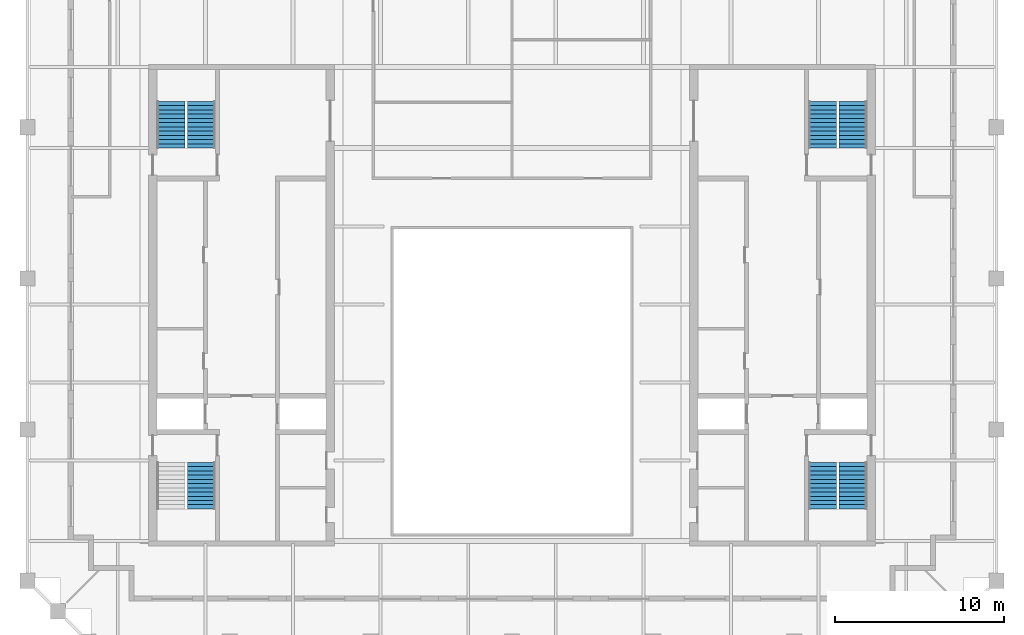
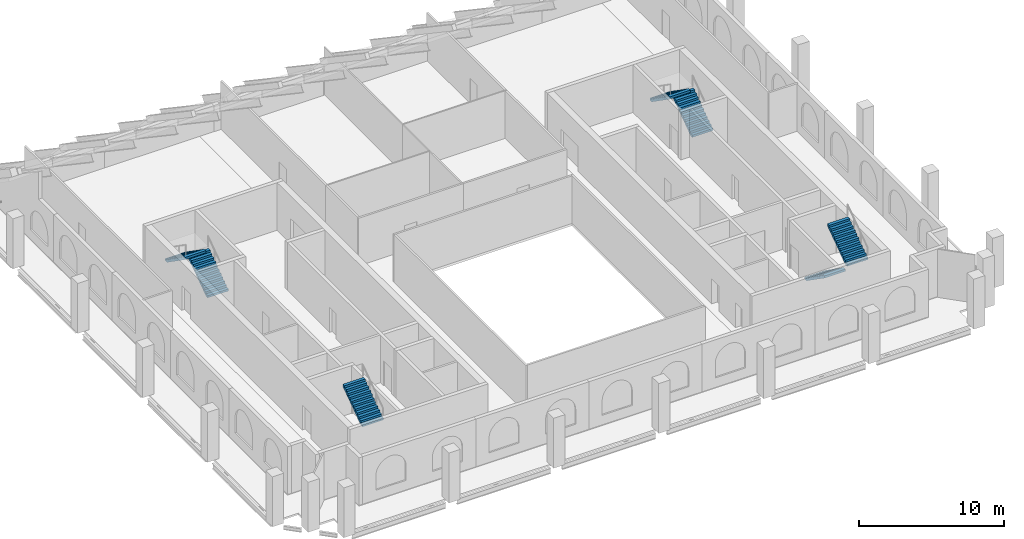
# One storey, part 7 of 8: 7 stair flights, 4 elements without a shape of their own.
"""IFC4 building model written with IfcOpenShell, lengths in metres."""

from ifc_helpers import new_model, si_unit, direction, frame, origin, place, context, subcontext, project, spatial, polyline, outline, extrude, material, type_object, element, aggregate, save


model = new_model("IFC4")

# Units and contexts
model_context = context("Model", 3, precision=1e-05, world=origin(), true_north=direction((0.0, 1.0)))
body_context = subcontext(model_context, "Body", "Model", "MODEL_VIEW")
ifc_project = project(units=[si_unit("LENGTHUNIT", "METRE"), si_unit("AREAUNIT", "SQUARE_METRE"), si_unit("VOLUMEUNIT", "CUBIC_METRE"), si_unit("PLANEANGLEUNIT", "RADIAN"), si_unit("MASSUNIT", "GRAM", prefix="KILO")], contexts=[model_context])

# Site, building, storey
site_placement = place(None, origin())
site = spatial("IfcSite", under=ifc_project, at=site_placement, CompositionType="ELEMENT")
building_placement = place(site_placement, origin())
building = spatial("IfcBuilding", under=site, at=building_placement, Name="Ogive Exchange Tower", CompositionType="ELEMENT")
storey_placement = place(building_placement, frame((0.0, 0.0, 381.60009765625)))
storey = spatial("IfcBuildingStorey", under=building, at=storey_placement, Name="C04", CompositionType="ELEMENT", Elevation=381.60009765625)

# Stair, stair flight
ifc_material = material(Name="Concrete C40/50", Category="concrete")
stair_type = type_object("IfcStairType", Name="Exit stair 1650 wide", PredefinedType="HALF_TURN_STAIR", material=ifc_material)
stair_1_placement = place(storey_placement, origin())
stair_1 = element("IfcStair", 1, at=stair_1_placement, inside=storey, type_object=stair_type, Name="C04 exit stair ST1", PredefinedType="HALF_TURN_STAIR")
stair_flight_type = type_object("IfcStairFlightType", Name="Stair flight 1650 wide", PredefinedType="STRAIGHT", material=ifc_material)
stair_flight_1_placement = place(storey_placement, frame((-18.375, -0.550048828125, 2.099853515625), z_axis=(0.0, 0.0, 1.0), x_axis=(0.0, 1.0, 0.0)))
stair_flight_1 = element("IfcStairFlight", 2, at=stair_flight_1_placement, type_object=stair_flight_type, Name="ST1 flight 2", NumberOfRisers=12, NumberOfTreads=11, PredefinedType="STRAIGHT", RiserHeight=0.175, TreadLength=0.25, context=body_context, shape_type="SweptSolid", body=[
    extrude(outline(polyline([(0.0, 0.0), (0.0, 0.175048828125), (0.25, 0.175048828125), (0.25, 0.35009765625), (0.5, 0.35009765625), (0.5, 0.52490234375), (0.75, 0.52490234375), (0.75, 0.699951171875), (1.0, 0.699951171875), (1.0, 0.875), (1.25, 0.875), (1.25, 1.050048828125), (1.5, 1.050048828125), (1.5, 1.22509765625), (1.75, 1.22509765625), (1.75, 1.39990234375), (2.0, 1.39990234375), (2.0, 1.574951171875), (2.25, 1.574951171875), (2.25, 1.75), (2.5, 1.75), (2.5, 1.925048828125), (2.75, 1.925048828125), (2.75, 2.10009765625), (2.75, 1.741943359375), (0.261474609375, 0.0), (0.0, 0.0)])), frame((0.0, 0.824951171875, 0.0), z_axis=(0.0, -1.0, 0.0), x_axis=(1.0, 0.0, 0.0)), (0.0, 0.0, 1.0), 1.64990234375),
])
aggregate(stair_1, [stair_flight_1])

# Stair, stair flights
stair_2_placement = place(storey_placement, origin())
stair_2 = element("IfcStair", 3, at=stair_2_placement, inside=storey, type_object=stair_type, Name="C04 exit stair ST2", PredefinedType="HALF_TURN_STAIR")
stair_flight_2_placement = place(storey_placement, frame((-18.375, 20.800048828125, 0.0), z_axis=(0.0, 0.0, 1.0), x_axis=(0.0, 1.0, 0.0)))
stair_flight_2 = element("IfcStairFlight", 4, at=stair_flight_2_placement, type_object=stair_flight_type, Name="ST2 flight 1", NumberOfRisers=12, NumberOfTreads=11, PredefinedType="STRAIGHT", RiserHeight=0.175, TreadLength=0.25, context=body_context, shape_type="SweptSolid", body=[
    extrude(outline(polyline([(0.0, 0.0), (0.0, 0.175048828125), (0.25, 0.175048828125), (0.25, 0.35009765625), (0.5, 0.35009765625), (0.5, 0.52490234375), (0.75, 0.52490234375), (0.75, 0.699951171875), (1.0, 0.699951171875), (1.0, 0.875), (1.25, 0.875), (1.25, 1.050048828125), (1.5, 1.050048828125), (1.5, 1.22509765625), (1.75, 1.22509765625), (1.75, 1.39990234375), (2.0, 1.39990234375), (2.0, 1.574951171875), (2.25, 1.574951171875), (2.25, 1.75), (2.5, 1.75), (2.5, 1.925048828125), (2.75, 1.925048828125), (2.75, 2.10009765625), (2.75, 1.741943359375), (0.261474609375, 0.0), (0.0, 0.0)])), frame((0.0, 0.824951171875, 0.0), z_axis=(0.0, -1.0, 0.0), x_axis=(1.0, 0.0, 0.0)), (0.0, 0.0, 1.0), 1.64990234375),
])
stair_flight_3_placement = place(storey_placement, frame((-20.175048828125, 23.550048828125, 2.099853515625), z_axis=(0.0, 0.0, 1.0), x_axis=(0.0, -1.0, 0.0)))
stair_flight_3 = element("IfcStairFlight", 5, at=stair_flight_3_placement, type_object=stair_flight_type, Name="ST2 flight 2", NumberOfRisers=12, NumberOfTreads=11, PredefinedType="STRAIGHT", RiserHeight=0.175, TreadLength=0.25, context=body_context, shape_type="SweptSolid", body=[
    extrude(outline(polyline([(0.0, 0.0), (0.0, 0.175048828125), (0.25, 0.175048828125), (0.25, 0.35009765625), (0.5, 0.35009765625), (0.5, 0.52490234375), (0.75, 0.52490234375), (0.75, 0.699951171875), (1.0, 0.699951171875), (1.0, 0.875), (1.25, 0.875), (1.25, 1.050048828125), (1.5, 1.050048828125), (1.5, 1.22509765625), (1.75, 1.22509765625), (1.75, 1.39990234375), (2.0, 1.39990234375), (2.0, 1.574951171875), (2.25, 1.574951171875), (2.25, 1.75), (2.5, 1.75), (2.5, 1.925048828125), (2.75, 1.925048828125), (2.75, 2.10009765625), (2.75, 1.741943359375), (0.261474609375, 0.0), (0.0, 0.0)])), frame((0.0, 0.824951171875, 0.0), z_axis=(0.0, -1.0, 0.0), x_axis=(1.0, 0.0, 0.0)), (0.0, 0.0, 1.0), 1.64990234375),
])
aggregate(stair_2, [stair_flight_2, stair_flight_3])

stair_3_placement = place(storey_placement, origin())
stair_3 = element("IfcStair", 6, at=stair_3_placement, inside=storey, type_object=stair_type, Name="C04 exit stair ST3", PredefinedType="HALF_TURN_STAIR")
stair_flight_4_placement = place(storey_placement, frame((18.375, 2.199951171875, 0.0), z_axis=(0.0, 0.0, 1.0), x_axis=(0.0, -1.0, 0.0)))
stair_flight_4 = element("IfcStairFlight", 7, at=stair_flight_4_placement, type_object=stair_flight_type, Name="ST3 flight 1", NumberOfRisers=12, NumberOfTreads=11, PredefinedType="STRAIGHT", RiserHeight=0.175, TreadLength=0.25, context=body_context, shape_type="SweptSolid", body=[
    extrude(outline(polyline([(0.0, 0.0), (0.0, 0.175048828125), (0.25, 0.175048828125), (0.25, 0.35009765625), (0.5, 0.35009765625), (0.5, 0.52490234375), (0.75, 0.52490234375), (0.75, 0.699951171875), (1.0, 0.699951171875), (1.0, 0.875), (1.25, 0.875), (1.25, 1.050048828125), (1.5, 1.050048828125), (1.5, 1.22509765625), (1.75, 1.22509765625), (1.75, 1.39990234375), (2.0, 1.39990234375), (2.0, 1.574951171875), (2.25, 1.574951171875), (2.25, 1.75), (2.5, 1.75), (2.5, 1.925048828125), (2.75, 1.925048828125), (2.75, 2.10009765625), (2.75, 1.741943359375), (0.261474609375, 0.0), (0.0, 0.0)])), frame((0.0, 0.824951171875, 0.0), z_axis=(0.0, -1.0, 0.0), x_axis=(1.0, 0.0, 0.0)), (0.0, 0.0, 1.0), 1.64990234375),
])
stair_flight_5_placement = place(storey_placement, frame((20.175048828125, -0.550048828125, 2.099853515625), z_axis=(0.0, 0.0, 1.0), x_axis=(0.0, 1.0, 0.0)))
stair_flight_5 = element("IfcStairFlight", 8, at=stair_flight_5_placement, type_object=stair_flight_type, Name="ST3 flight 2", NumberOfRisers=12, NumberOfTreads=11, PredefinedType="STRAIGHT", RiserHeight=0.175, TreadLength=0.25, context=body_context, shape_type="SweptSolid", body=[
    extrude(outline(polyline([(0.0, 0.0), (0.0, 0.175048828125), (0.25, 0.175048828125), (0.25, 0.35009765625), (0.5, 0.35009765625), (0.5, 0.52490234375), (0.75, 0.52490234375), (0.75, 0.699951171875), (1.0, 0.699951171875), (1.0, 0.875), (1.25, 0.875), (1.25, 1.050048828125), (1.5, 1.050048828125), (1.5, 1.22509765625), (1.75, 1.22509765625), (1.75, 1.39990234375), (2.0, 1.39990234375), (2.0, 1.574951171875), (2.25, 1.574951171875), (2.25, 1.75), (2.5, 1.75), (2.5, 1.925048828125), (2.75, 1.925048828125), (2.75, 2.10009765625), (2.75, 1.741943359375), (0.261474609375, 0.0), (0.0, 0.0)])), frame((0.0, 0.824951171875, 0.0), z_axis=(0.0, -1.0, 0.0), x_axis=(1.0, 0.0, 0.0)), (0.0, 0.0, 1.0), 1.64990234375),
])
aggregate(stair_3, [stair_flight_4, stair_flight_5])

stair_4_placement = place(storey_placement, origin())
stair_4 = element("IfcStair", 9, at=stair_4_placement, inside=storey, type_object=stair_type, Name="C04 exit stair ST4", PredefinedType="HALF_TURN_STAIR")
stair_flight_6_placement = place(storey_placement, frame((20.175048828125, 20.800048828125, 0.0), z_axis=(0.0, 0.0, 1.0), x_axis=(0.0, 1.0, 0.0)))
stair_flight_6 = element("IfcStairFlight", 10, at=stair_flight_6_placement, type_object=stair_flight_type, Name="ST4 flight 1", NumberOfRisers=12, NumberOfTreads=11, PredefinedType="STRAIGHT", RiserHeight=0.175, TreadLength=0.25, context=body_context, shape_type="SweptSolid", body=[
    extrude(outline(polyline([(0.0, 0.0), (0.0, 0.175048828125), (0.25, 0.175048828125), (0.25, 0.35009765625), (0.5, 0.35009765625), (0.5, 0.52490234375), (0.75, 0.52490234375), (0.75, 0.699951171875), (1.0, 0.699951171875), (1.0, 0.875), (1.25, 0.875), (1.25, 1.050048828125), (1.5, 1.050048828125), (1.5, 1.22509765625), (1.75, 1.22509765625), (1.75, 1.39990234375), (2.0, 1.39990234375), (2.0, 1.574951171875), (2.25, 1.574951171875), (2.25, 1.75), (2.5, 1.75), (2.5, 1.925048828125), (2.75, 1.925048828125), (2.75, 2.10009765625), (2.75, 1.741943359375), (0.261474609375, 0.0), (0.0, 0.0)])), frame((0.0, 0.824951171875, 0.0), z_axis=(0.0, -1.0, 0.0), x_axis=(1.0, 0.0, 0.0)), (0.0, 0.0, 1.0), 1.64990234375),
])
stair_flight_7_placement = place(storey_placement, frame((18.375, 23.550048828125, 2.099853515625), z_axis=(0.0, 0.0, 1.0), x_axis=(0.0, -1.0, 0.0)))
stair_flight_7 = element("IfcStairFlight", 11, at=stair_flight_7_placement, type_object=stair_flight_type, Name="ST4 flight 2", NumberOfRisers=12, NumberOfTreads=11, PredefinedType="STRAIGHT", RiserHeight=0.175, TreadLength=0.25, context=body_context, shape_type="SweptSolid", body=[
    extrude(outline(polyline([(0.0, 0.0), (0.0, 0.175048828125), (0.25, 0.175048828125), (0.25, 0.35009765625), (0.5, 0.35009765625), (0.5, 0.52490234375), (0.75, 0.52490234375), (0.75, 0.699951171875), (1.0, 0.699951171875), (1.0, 0.875), (1.25, 0.875), (1.25, 1.050048828125), (1.5, 1.050048828125), (1.5, 1.22509765625), (1.75, 1.22509765625), (1.75, 1.39990234375), (2.0, 1.39990234375), (2.0, 1.574951171875), (2.25, 1.574951171875), (2.25, 1.75), (2.5, 1.75), (2.5, 1.925048828125), (2.75, 1.925048828125), (2.75, 2.10009765625), (2.75, 1.741943359375), (0.261474609375, 0.0), (0.0, 0.0)])), frame((0.0, 0.824951171875, 0.0), z_axis=(0.0, -1.0, 0.0), x_axis=(1.0, 0.0, 0.0)), (0.0, 0.0, 1.0), 1.64990234375),
])
aggregate(stair_4, [stair_flight_6, stair_flight_7])

save(model, "model.ifc")
